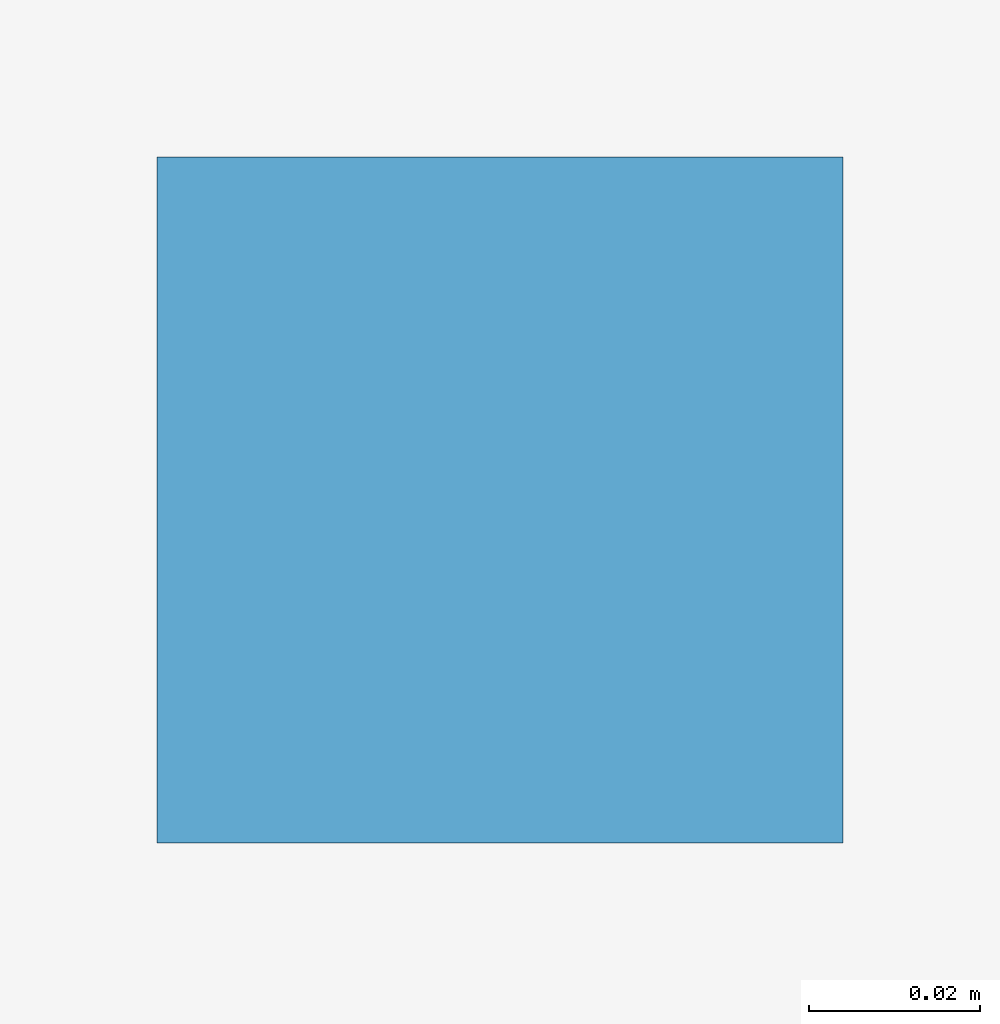
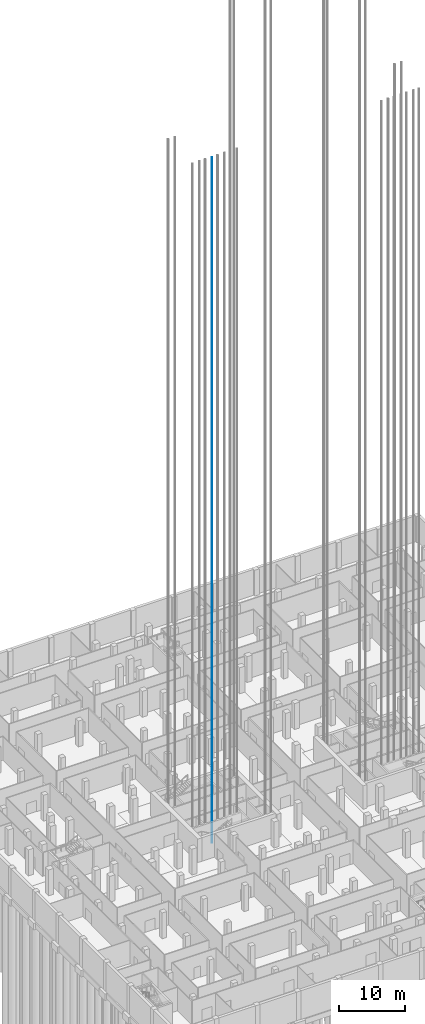
# One storey, part 29 of 54: 1 discrete accessory.
"""IFC4 building model written with IfcOpenShell, lengths in metres."""

from ifc_helpers import new_model, si_unit, direction, frame, origin, origin_2d, place, context, subcontext, project, spatial, rectangle, extrude, material, element, save


model = new_model("IFC4")

# Units and contexts
model_context = context("Model", 3, precision=1e-05, world=origin(), true_north=direction((0.0, 1.0)))
body_context = subcontext(model_context, "Body", "Model", "MODEL_VIEW")
ifc_project = project(units=[si_unit("LENGTHUNIT", "METRE"), si_unit("AREAUNIT", "SQUARE_METRE"), si_unit("VOLUMEUNIT", "CUBIC_METRE"), si_unit("PLANEANGLEUNIT", "RADIAN"), si_unit("MASSUNIT", "GRAM", prefix="KILO")], contexts=[model_context])

# Site, building, storey
site_placement = place(None, origin())
site = spatial("IfcSite", under=ifc_project, at=site_placement, CompositionType="ELEMENT")
building_placement = place(site_placement, origin())
building = spatial("IfcBuilding", under=site, at=building_placement, Name="Fustian Cross Tower", CompositionType="ELEMENT")
storey_placement = place(building_placement, frame((0.0, 0.0, -4.800048828125)))
storey = spatial("IfcBuildingStorey", under=building, at=storey_placement, Name="B1", CompositionType="ELEMENT", Elevation=-4.800048828125)

# Discrete accessory
ifc_material = material(Name="Steel S355", Category="steel")
discrete_accessory_placement = place(storey_placement, frame((-17.074951171875, -3.7099609375, 0.0), z_axis=(0.0, 0.0, 1.0), x_axis=(1.0, 0.0, 0.0)))
element("IfcDiscreteAccessory", 1, at=discrete_accessory_placement, inside=storey, material=ifc_material, Name="Lift guide rail LR3W 2", PredefinedType="NOTDEFINED", context=body_context, shape_type="SweptSolid", body=[
    extrude(rectangle(XDim=0.080078125, YDim=0.080078125, at=origin_2d()), origin(), (0.0, 0.0, 1.0), 127.14990234375),
])

save(model, "model.ifc")
